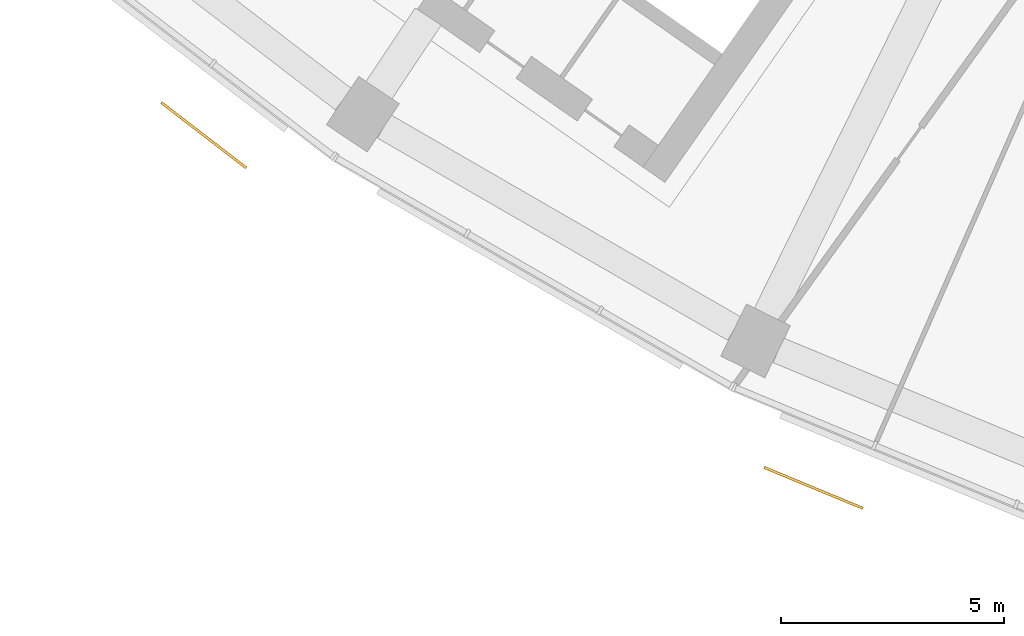
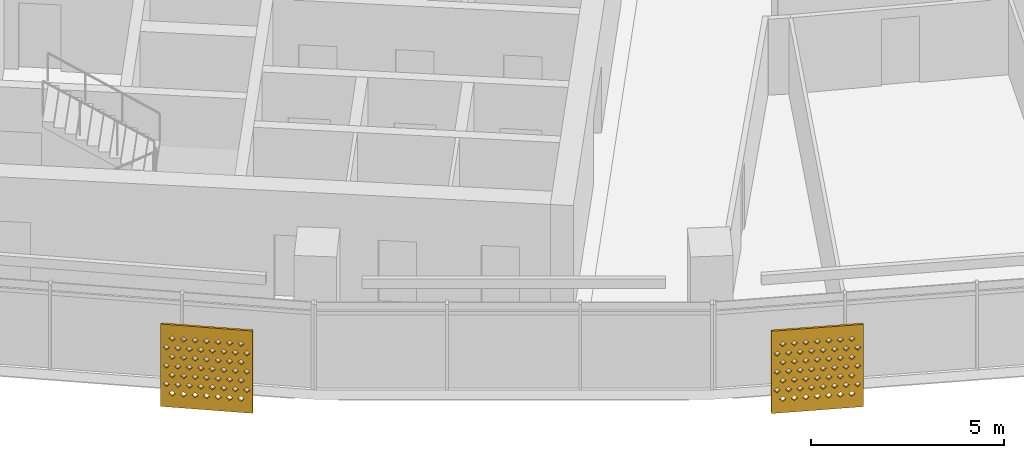
# One storey, part 21 of 26: 2 shading devices.
"""IFC4 building model written with IfcOpenShell, lengths in metres."""

from ifc_helpers import new_model, si_unit, direction, frame, origin, place, context, subcontext, project, spatial, polyline, outline, extrude, material, material_profile, profile_set, type_object, element, save


model = new_model("IFC4")

# Units and contexts
model_context = context("Model", 3, precision=1e-05, world=origin(), true_north=direction((0.0, 1.0)))
body_context = subcontext(model_context, "Body", "Model", "MODEL_VIEW")
ifc_project = project(units=[si_unit("LENGTHUNIT", "METRE"), si_unit("AREAUNIT", "SQUARE_METRE"), si_unit("VOLUMEUNIT", "CUBIC_METRE"), si_unit("PLANEANGLEUNIT", "RADIAN"), si_unit("MASSUNIT", "GRAM", prefix="KILO")], contexts=[model_context])

# Site, building, storey
site_placement = place(None, origin())
site = spatial("IfcSite", under=ifc_project, at=site_placement, CompositionType="ELEMENT")
building_placement = place(site_placement, origin())
building = spatial("IfcBuilding", under=site, at=building_placement, Name="Qamariyya Broadcast Tower", CompositionType="ELEMENT")
storey_placement = place(building_placement, frame((0.0, 0.0, 160.699951171875)))
storey = spatial("IfcBuildingStorey", under=building, at=storey_placement, Name="L37", CompositionType="ELEMENT", Elevation=160.699951171875)

# Shading devices
ifc_material = material(Name="Perforated glazed terracotta", Category="masonry")
ifc_material_profile = material_profile(ifc_material, outline(polyline([(-1.199951171875, -1.300048828125), (1.199951171875, -1.300048828125), (1.199951171875, 1.300048828125), (-1.199951171875, 1.300048828125), (-1.199951171875, -1.300048828125)]), holes=[polyline([(-0.81494140625, -0.86669921875), (-0.89990234375, -0.78173828125), (-0.985107421875, -0.86669921875), (-0.89990234375, -0.95166015625), (-0.81494140625, -0.86669921875)]), polyline([(-0.514892578125, -0.86669921875), (-0.60009765625, -0.78173828125), (-0.68505859375, -0.86669921875), (-0.60009765625, -0.95166015625), (-0.514892578125, -0.86669921875)]), polyline([(-0.215087890625, -0.86669921875), (-0.300048828125, -0.78173828125), (-0.385009765625, -0.86669921875), (-0.300048828125, -0.95166015625), (-0.215087890625, -0.86669921875)]), polyline([(0.0849609375, -0.86669921875), (0.0, -0.78173828125), (-0.0849609375, -0.86669921875), (0.0, -0.95166015625), (0.0849609375, -0.86669921875)]), polyline([(0.385009765625, -0.86669921875), (0.300048828125, -0.78173828125), (0.215087890625, -0.86669921875), (0.300048828125, -0.95166015625), (0.385009765625, -0.86669921875)]), polyline([(0.68505859375, -0.86669921875), (0.60009765625, -0.78173828125), (0.514892578125, -0.86669921875), (0.60009765625, -0.95166015625), (0.68505859375, -0.86669921875)]), polyline([(0.985107421875, -0.86669921875), (0.89990234375, -0.78173828125), (0.81494140625, -0.86669921875), (0.89990234375, -0.95166015625), (0.985107421875, -0.86669921875)]), polyline([(-0.965087890625, -0.577880859375), (-1.050048828125, -0.49267578125), (-1.135009765625, -0.577880859375), (-1.050048828125, -0.662841796875), (-0.965087890625, -0.577880859375)]), polyline([(-0.6650390625, -0.577880859375), (-0.75, -0.49267578125), (-0.8349609375, -0.577880859375), (-0.75, -0.662841796875), (-0.6650390625, -0.577880859375)]), polyline([(-0.364990234375, -0.577880859375), (-0.449951171875, -0.49267578125), (-0.534912109375, -0.577880859375), (-0.449951171875, -0.662841796875), (-0.364990234375, -0.577880859375)]), polyline([(-0.06494140625, -0.577880859375), (-0.14990234375, -0.49267578125), (-0.235107421875, -0.577880859375), (-0.14990234375, -0.662841796875), (-0.06494140625, -0.577880859375)]), polyline([(0.235107421875, -0.577880859375), (0.14990234375, -0.49267578125), (0.06494140625, -0.577880859375), (0.14990234375, -0.662841796875), (0.235107421875, -0.577880859375)]), polyline([(0.534912109375, -0.577880859375), (0.449951171875, -0.49267578125), (0.364990234375, -0.577880859375), (0.449951171875, -0.662841796875), (0.534912109375, -0.577880859375)]), polyline([(0.8349609375, -0.577880859375), (0.75, -0.49267578125), (0.6650390625, -0.577880859375), (0.75, -0.662841796875), (0.8349609375, -0.577880859375)]), polyline([(1.135009765625, -0.577880859375), (1.050048828125, -0.49267578125), (0.965087890625, -0.577880859375), (1.050048828125, -0.662841796875), (1.135009765625, -0.577880859375)]), polyline([(-0.81494140625, -0.288818359375), (-0.89990234375, -0.203857421875), (-0.985107421875, -0.288818359375), (-0.89990234375, -0.373779296875), (-0.81494140625, -0.288818359375)]), polyline([(-0.514892578125, -0.288818359375), (-0.60009765625, -0.203857421875), (-0.68505859375, -0.288818359375), (-0.60009765625, -0.373779296875), (-0.514892578125, -0.288818359375)]), polyline([(-0.215087890625, -0.288818359375), (-0.300048828125, -0.203857421875), (-0.385009765625, -0.288818359375), (-0.300048828125, -0.373779296875), (-0.215087890625, -0.288818359375)]), polyline([(0.0849609375, -0.288818359375), (0.0, -0.203857421875), (-0.0849609375, -0.288818359375), (0.0, -0.373779296875), (0.0849609375, -0.288818359375)]), polyline([(0.385009765625, -0.288818359375), (0.300048828125, -0.203857421875), (0.215087890625, -0.288818359375), (0.300048828125, -0.373779296875), (0.385009765625, -0.288818359375)]), polyline([(0.68505859375, -0.288818359375), (0.60009765625, -0.203857421875), (0.514892578125, -0.288818359375), (0.60009765625, -0.373779296875), (0.68505859375, -0.288818359375)]), polyline([(0.985107421875, -0.288818359375), (0.89990234375, -0.203857421875), (0.81494140625, -0.288818359375), (0.89990234375, -0.373779296875), (0.985107421875, -0.288818359375)]), polyline([(-0.965087890625, 0.0), (-1.050048828125, 0.0849609375), (-1.135009765625, 0.0), (-1.050048828125, -0.0849609375), (-0.965087890625, 0.0)]), polyline([(-0.6650390625, 0.0), (-0.75, 0.0849609375), (-0.8349609375, 0.0), (-0.75, -0.0849609375), (-0.6650390625, 0.0)]), polyline([(-0.364990234375, 0.0), (-0.449951171875, 0.0849609375), (-0.534912109375, 0.0), (-0.449951171875, -0.0849609375), (-0.364990234375, 0.0)]), polyline([(-0.06494140625, 0.0), (-0.14990234375, 0.0849609375), (-0.235107421875, 0.0), (-0.14990234375, -0.0849609375), (-0.06494140625, 0.0)]), polyline([(0.235107421875, 0.0), (0.14990234375, 0.0849609375), (0.06494140625, 0.0), (0.14990234375, -0.0849609375), (0.235107421875, 0.0)]), polyline([(0.534912109375, 0.0), (0.449951171875, 0.0849609375), (0.364990234375, 0.0), (0.449951171875, -0.0849609375), (0.534912109375, 0.0)]), polyline([(0.8349609375, 0.0), (0.75, 0.0849609375), (0.6650390625, 0.0), (0.75, -0.0849609375), (0.8349609375, 0.0)]), polyline([(1.135009765625, 0.0), (1.050048828125, 0.0849609375), (0.965087890625, 0.0), (1.050048828125, -0.0849609375), (1.135009765625, 0.0)]), polyline([(-0.81494140625, 0.288818359375), (-0.89990234375, 0.373779296875), (-0.985107421875, 0.288818359375), (-0.89990234375, 0.203857421875), (-0.81494140625, 0.288818359375)]), polyline([(-0.514892578125, 0.288818359375), (-0.60009765625, 0.373779296875), (-0.68505859375, 0.288818359375), (-0.60009765625, 0.203857421875), (-0.514892578125, 0.288818359375)]), polyline([(-0.215087890625, 0.288818359375), (-0.300048828125, 0.373779296875), (-0.385009765625, 0.288818359375), (-0.300048828125, 0.203857421875), (-0.215087890625, 0.288818359375)]), polyline([(0.0849609375, 0.288818359375), (0.0, 0.373779296875), (-0.0849609375, 0.288818359375), (0.0, 0.203857421875), (0.0849609375, 0.288818359375)]), polyline([(0.385009765625, 0.288818359375), (0.300048828125, 0.373779296875), (0.215087890625, 0.288818359375), (0.300048828125, 0.203857421875), (0.385009765625, 0.288818359375)]), polyline([(0.68505859375, 0.288818359375), (0.60009765625, 0.373779296875), (0.514892578125, 0.288818359375), (0.60009765625, 0.203857421875), (0.68505859375, 0.288818359375)]), polyline([(0.985107421875, 0.288818359375), (0.89990234375, 0.373779296875), (0.81494140625, 0.288818359375), (0.89990234375, 0.203857421875), (0.985107421875, 0.288818359375)]), polyline([(-0.965087890625, 0.577880859375), (-1.050048828125, 0.662841796875), (-1.135009765625, 0.577880859375), (-1.050048828125, 0.49267578125), (-0.965087890625, 0.577880859375)]), polyline([(-0.6650390625, 0.577880859375), (-0.75, 0.662841796875), (-0.8349609375, 0.577880859375), (-0.75, 0.49267578125), (-0.6650390625, 0.577880859375)]), polyline([(-0.364990234375, 0.577880859375), (-0.449951171875, 0.662841796875), (-0.534912109375, 0.577880859375), (-0.449951171875, 0.49267578125), (-0.364990234375, 0.577880859375)]), polyline([(-0.06494140625, 0.577880859375), (-0.14990234375, 0.662841796875), (-0.235107421875, 0.577880859375), (-0.14990234375, 0.49267578125), (-0.06494140625, 0.577880859375)]), polyline([(0.235107421875, 0.577880859375), (0.14990234375, 0.662841796875), (0.06494140625, 0.577880859375), (0.14990234375, 0.49267578125), (0.235107421875, 0.577880859375)]), polyline([(0.534912109375, 0.577880859375), (0.449951171875, 0.662841796875), (0.364990234375, 0.577880859375), (0.449951171875, 0.49267578125), (0.534912109375, 0.577880859375)]), polyline([(0.8349609375, 0.577880859375), (0.75, 0.662841796875), (0.6650390625, 0.577880859375), (0.75, 0.49267578125), (0.8349609375, 0.577880859375)]), polyline([(1.135009765625, 0.577880859375), (1.050048828125, 0.662841796875), (0.965087890625, 0.577880859375), (1.050048828125, 0.49267578125), (1.135009765625, 0.577880859375)]), polyline([(-0.81494140625, 0.86669921875), (-0.89990234375, 0.95166015625), (-0.985107421875, 0.86669921875), (-0.89990234375, 0.78173828125), (-0.81494140625, 0.86669921875)]), polyline([(-0.514892578125, 0.86669921875), (-0.60009765625, 0.95166015625), (-0.68505859375, 0.86669921875), (-0.60009765625, 0.78173828125), (-0.514892578125, 0.86669921875)]), polyline([(-0.215087890625, 0.86669921875), (-0.300048828125, 0.95166015625), (-0.385009765625, 0.86669921875), (-0.300048828125, 0.78173828125), (-0.215087890625, 0.86669921875)]), polyline([(0.0849609375, 0.86669921875), (0.0, 0.95166015625), (-0.0849609375, 0.86669921875), (0.0, 0.78173828125), (0.0849609375, 0.86669921875)]), polyline([(0.385009765625, 0.86669921875), (0.300048828125, 0.95166015625), (0.215087890625, 0.86669921875), (0.300048828125, 0.78173828125), (0.385009765625, 0.86669921875)]), polyline([(0.68505859375, 0.86669921875), (0.60009765625, 0.95166015625), (0.514892578125, 0.86669921875), (0.60009765625, 0.78173828125), (0.68505859375, 0.86669921875)]), polyline([(0.985107421875, 0.86669921875), (0.89990234375, 0.95166015625), (0.81494140625, 0.86669921875), (0.89990234375, 0.78173828125), (0.985107421875, 0.86669921875)])]))
ifc_profile_set = profile_set([ifc_material_profile], Name="Perforated glazed terracotta")
shading_device_type = type_object("IfcShadingDeviceType", Name="Perforated terracotta screen 2400 x 2600", PredefinedType="USERDEFINED", material=ifc_profile_set)
shading_device_1_placement = place(storey_placement, frame((-46.745849609375, -65.095458984375, 1.35009765625), z_axis=(-0.60971076085, -0.792623989105, 0.0), x_axis=(0.792623989105, -0.60971076085, 0.0)))
element("IfcShadingDevice", 1, at=shading_device_1_placement, inside=storey, type_object=shading_device_type, Name="e-scr-L37-02-2", ObjectType="SCREEN", PredefinedType="USERDEFINED", context=body_context, shape_type="SweptSolid", body=[
    extrude(outline(polyline([(-1.199951171875, -1.300048828125), (1.199951171875, -1.300048828125), (1.199951171875, 1.300048828125), (-1.199951171875, 1.300048828125), (-1.199951171875, -1.300048828125)]), holes=[polyline([(-0.81494140625, -0.86669921875), (-0.89990234375, -0.78173828125), (-0.985107421875, -0.86669921875), (-0.89990234375, -0.95166015625), (-0.81494140625, -0.86669921875)]), polyline([(-0.514892578125, -0.86669921875), (-0.60009765625, -0.78173828125), (-0.68505859375, -0.86669921875), (-0.60009765625, -0.95166015625), (-0.514892578125, -0.86669921875)]), polyline([(-0.215087890625, -0.86669921875), (-0.300048828125, -0.78173828125), (-0.385009765625, -0.86669921875), (-0.300048828125, -0.95166015625), (-0.215087890625, -0.86669921875)]), polyline([(0.0849609375, -0.86669921875), (0.0, -0.78173828125), (-0.0849609375, -0.86669921875), (0.0, -0.95166015625), (0.0849609375, -0.86669921875)]), polyline([(0.385009765625, -0.86669921875), (0.300048828125, -0.78173828125), (0.215087890625, -0.86669921875), (0.300048828125, -0.95166015625), (0.385009765625, -0.86669921875)]), polyline([(0.68505859375, -0.86669921875), (0.60009765625, -0.78173828125), (0.514892578125, -0.86669921875), (0.60009765625, -0.95166015625), (0.68505859375, -0.86669921875)]), polyline([(0.985107421875, -0.86669921875), (0.89990234375, -0.78173828125), (0.81494140625, -0.86669921875), (0.89990234375, -0.95166015625), (0.985107421875, -0.86669921875)]), polyline([(-0.965087890625, -0.577880859375), (-1.050048828125, -0.49267578125), (-1.135009765625, -0.577880859375), (-1.050048828125, -0.662841796875), (-0.965087890625, -0.577880859375)]), polyline([(-0.6650390625, -0.577880859375), (-0.75, -0.49267578125), (-0.8349609375, -0.577880859375), (-0.75, -0.662841796875), (-0.6650390625, -0.577880859375)]), polyline([(-0.364990234375, -0.577880859375), (-0.449951171875, -0.49267578125), (-0.534912109375, -0.577880859375), (-0.449951171875, -0.662841796875), (-0.364990234375, -0.577880859375)]), polyline([(-0.06494140625, -0.577880859375), (-0.14990234375, -0.49267578125), (-0.235107421875, -0.577880859375), (-0.14990234375, -0.662841796875), (-0.06494140625, -0.577880859375)]), polyline([(0.235107421875, -0.577880859375), (0.14990234375, -0.49267578125), (0.06494140625, -0.577880859375), (0.14990234375, -0.662841796875), (0.235107421875, -0.577880859375)]), polyline([(0.534912109375, -0.577880859375), (0.449951171875, -0.49267578125), (0.364990234375, -0.577880859375), (0.449951171875, -0.662841796875), (0.534912109375, -0.577880859375)]), polyline([(0.8349609375, -0.577880859375), (0.75, -0.49267578125), (0.6650390625, -0.577880859375), (0.75, -0.662841796875), (0.8349609375, -0.577880859375)]), polyline([(1.135009765625, -0.577880859375), (1.050048828125, -0.49267578125), (0.965087890625, -0.577880859375), (1.050048828125, -0.662841796875), (1.135009765625, -0.577880859375)]), polyline([(-0.81494140625, -0.288818359375), (-0.89990234375, -0.203857421875), (-0.985107421875, -0.288818359375), (-0.89990234375, -0.373779296875), (-0.81494140625, -0.288818359375)]), polyline([(-0.514892578125, -0.288818359375), (-0.60009765625, -0.203857421875), (-0.68505859375, -0.288818359375), (-0.60009765625, -0.373779296875), (-0.514892578125, -0.288818359375)]), polyline([(-0.215087890625, -0.288818359375), (-0.300048828125, -0.203857421875), (-0.385009765625, -0.288818359375), (-0.300048828125, -0.373779296875), (-0.215087890625, -0.288818359375)]), polyline([(0.0849609375, -0.288818359375), (0.0, -0.203857421875), (-0.0849609375, -0.288818359375), (0.0, -0.373779296875), (0.0849609375, -0.288818359375)]), polyline([(0.385009765625, -0.288818359375), (0.300048828125, -0.203857421875), (0.215087890625, -0.288818359375), (0.300048828125, -0.373779296875), (0.385009765625, -0.288818359375)]), polyline([(0.68505859375, -0.288818359375), (0.60009765625, -0.203857421875), (0.514892578125, -0.288818359375), (0.60009765625, -0.373779296875), (0.68505859375, -0.288818359375)]), polyline([(0.985107421875, -0.288818359375), (0.89990234375, -0.203857421875), (0.81494140625, -0.288818359375), (0.89990234375, -0.373779296875), (0.985107421875, -0.288818359375)]), polyline([(-0.965087890625, 0.0), (-1.050048828125, 0.0849609375), (-1.135009765625, 0.0), (-1.050048828125, -0.0849609375), (-0.965087890625, 0.0)]), polyline([(-0.6650390625, 0.0), (-0.75, 0.0849609375), (-0.8349609375, 0.0), (-0.75, -0.0849609375), (-0.6650390625, 0.0)]), polyline([(-0.364990234375, 0.0), (-0.449951171875, 0.0849609375), (-0.534912109375, 0.0), (-0.449951171875, -0.0849609375), (-0.364990234375, 0.0)]), polyline([(-0.06494140625, 0.0), (-0.14990234375, 0.0849609375), (-0.235107421875, 0.0), (-0.14990234375, -0.0849609375), (-0.06494140625, 0.0)]), polyline([(0.235107421875, 0.0), (0.14990234375, 0.0849609375), (0.06494140625, 0.0), (0.14990234375, -0.0849609375), (0.235107421875, 0.0)]), polyline([(0.534912109375, 0.0), (0.449951171875, 0.0849609375), (0.364990234375, 0.0), (0.449951171875, -0.0849609375), (0.534912109375, 0.0)]), polyline([(0.8349609375, 0.0), (0.75, 0.0849609375), (0.6650390625, 0.0), (0.75, -0.0849609375), (0.8349609375, 0.0)]), polyline([(1.135009765625, 0.0), (1.050048828125, 0.0849609375), (0.965087890625, 0.0), (1.050048828125, -0.0849609375), (1.135009765625, 0.0)]), polyline([(-0.81494140625, 0.288818359375), (-0.89990234375, 0.373779296875), (-0.985107421875, 0.288818359375), (-0.89990234375, 0.203857421875), (-0.81494140625, 0.288818359375)]), polyline([(-0.514892578125, 0.288818359375), (-0.60009765625, 0.373779296875), (-0.68505859375, 0.288818359375), (-0.60009765625, 0.203857421875), (-0.514892578125, 0.288818359375)]), polyline([(-0.215087890625, 0.288818359375), (-0.300048828125, 0.373779296875), (-0.385009765625, 0.288818359375), (-0.300048828125, 0.203857421875), (-0.215087890625, 0.288818359375)]), polyline([(0.0849609375, 0.288818359375), (0.0, 0.373779296875), (-0.0849609375, 0.288818359375), (0.0, 0.203857421875), (0.0849609375, 0.288818359375)]), polyline([(0.385009765625, 0.288818359375), (0.300048828125, 0.373779296875), (0.215087890625, 0.288818359375), (0.300048828125, 0.203857421875), (0.385009765625, 0.288818359375)]), polyline([(0.68505859375, 0.288818359375), (0.60009765625, 0.373779296875), (0.514892578125, 0.288818359375), (0.60009765625, 0.203857421875), (0.68505859375, 0.288818359375)]), polyline([(0.985107421875, 0.288818359375), (0.89990234375, 0.373779296875), (0.81494140625, 0.288818359375), (0.89990234375, 0.203857421875), (0.985107421875, 0.288818359375)]), polyline([(-0.965087890625, 0.577880859375), (-1.050048828125, 0.662841796875), (-1.135009765625, 0.577880859375), (-1.050048828125, 0.49267578125), (-0.965087890625, 0.577880859375)]), polyline([(-0.6650390625, 0.577880859375), (-0.75, 0.662841796875), (-0.8349609375, 0.577880859375), (-0.75, 0.49267578125), (-0.6650390625, 0.577880859375)]), polyline([(-0.364990234375, 0.577880859375), (-0.449951171875, 0.662841796875), (-0.534912109375, 0.577880859375), (-0.449951171875, 0.49267578125), (-0.364990234375, 0.577880859375)]), polyline([(-0.06494140625, 0.577880859375), (-0.14990234375, 0.662841796875), (-0.235107421875, 0.577880859375), (-0.14990234375, 0.49267578125), (-0.06494140625, 0.577880859375)]), polyline([(0.235107421875, 0.577880859375), (0.14990234375, 0.662841796875), (0.06494140625, 0.577880859375), (0.14990234375, 0.49267578125), (0.235107421875, 0.577880859375)]), polyline([(0.534912109375, 0.577880859375), (0.449951171875, 0.662841796875), (0.364990234375, 0.577880859375), (0.449951171875, 0.49267578125), (0.534912109375, 0.577880859375)]), polyline([(0.8349609375, 0.577880859375), (0.75, 0.662841796875), (0.6650390625, 0.577880859375), (0.75, 0.49267578125), (0.8349609375, 0.577880859375)]), polyline([(1.135009765625, 0.577880859375), (1.050048828125, 0.662841796875), (0.965087890625, 0.577880859375), (1.050048828125, 0.49267578125), (1.135009765625, 0.577880859375)]), polyline([(-0.81494140625, 0.86669921875), (-0.89990234375, 0.95166015625), (-0.985107421875, 0.86669921875), (-0.89990234375, 0.78173828125), (-0.81494140625, 0.86669921875)]), polyline([(-0.514892578125, 0.86669921875), (-0.60009765625, 0.95166015625), (-0.68505859375, 0.86669921875), (-0.60009765625, 0.78173828125), (-0.514892578125, 0.86669921875)]), polyline([(-0.215087890625, 0.86669921875), (-0.300048828125, 0.95166015625), (-0.385009765625, 0.86669921875), (-0.300048828125, 0.78173828125), (-0.215087890625, 0.86669921875)]), polyline([(0.0849609375, 0.86669921875), (0.0, 0.95166015625), (-0.0849609375, 0.86669921875), (0.0, 0.78173828125), (0.0849609375, 0.86669921875)]), polyline([(0.385009765625, 0.86669921875), (0.300048828125, 0.95166015625), (0.215087890625, 0.86669921875), (0.300048828125, 0.78173828125), (0.385009765625, 0.86669921875)]), polyline([(0.68505859375, 0.86669921875), (0.60009765625, 0.95166015625), (0.514892578125, 0.86669921875), (0.60009765625, 0.78173828125), (0.68505859375, 0.86669921875)]), polyline([(0.985107421875, 0.86669921875), (0.89990234375, 0.95166015625), (0.81494140625, 0.86669921875), (0.89990234375, 0.78173828125), (0.985107421875, 0.86669921875)])]), origin(), (0.0, 0.0, 1.0), 0.06005859375),
])
shading_device_2_placement = place(storey_placement, frame((-33.07861328125, -72.9990234375, 1.35009765625), z_axis=(-0.382591441855, -0.923917630863, 0.0), x_axis=(0.923917630863, -0.382591441855, 0.0)))
element("IfcShadingDevice", 2, at=shading_device_2_placement, inside=storey, type_object=shading_device_type, Name="e-scr-L37-04-0", ObjectType="SCREEN", PredefinedType="USERDEFINED", context=body_context, shape_type="SweptSolid", body=[
    extrude(outline(polyline([(-1.199951171875, -1.300048828125), (1.199951171875, -1.300048828125), (1.199951171875, 1.300048828125), (-1.199951171875, 1.300048828125), (-1.199951171875, -1.300048828125)]), holes=[polyline([(-0.81494140625, -0.86669921875), (-0.89990234375, -0.78173828125), (-0.985107421875, -0.86669921875), (-0.89990234375, -0.95166015625), (-0.81494140625, -0.86669921875)]), polyline([(-0.514892578125, -0.86669921875), (-0.60009765625, -0.78173828125), (-0.68505859375, -0.86669921875), (-0.60009765625, -0.95166015625), (-0.514892578125, -0.86669921875)]), polyline([(-0.215087890625, -0.86669921875), (-0.300048828125, -0.78173828125), (-0.385009765625, -0.86669921875), (-0.300048828125, -0.95166015625), (-0.215087890625, -0.86669921875)]), polyline([(0.0849609375, -0.86669921875), (0.0, -0.78173828125), (-0.0849609375, -0.86669921875), (0.0, -0.95166015625), (0.0849609375, -0.86669921875)]), polyline([(0.385009765625, -0.86669921875), (0.300048828125, -0.78173828125), (0.215087890625, -0.86669921875), (0.300048828125, -0.95166015625), (0.385009765625, -0.86669921875)]), polyline([(0.68505859375, -0.86669921875), (0.60009765625, -0.78173828125), (0.514892578125, -0.86669921875), (0.60009765625, -0.95166015625), (0.68505859375, -0.86669921875)]), polyline([(0.985107421875, -0.86669921875), (0.89990234375, -0.78173828125), (0.81494140625, -0.86669921875), (0.89990234375, -0.95166015625), (0.985107421875, -0.86669921875)]), polyline([(-0.965087890625, -0.577880859375), (-1.050048828125, -0.49267578125), (-1.135009765625, -0.577880859375), (-1.050048828125, -0.662841796875), (-0.965087890625, -0.577880859375)]), polyline([(-0.6650390625, -0.577880859375), (-0.75, -0.49267578125), (-0.8349609375, -0.577880859375), (-0.75, -0.662841796875), (-0.6650390625, -0.577880859375)]), polyline([(-0.364990234375, -0.577880859375), (-0.449951171875, -0.49267578125), (-0.534912109375, -0.577880859375), (-0.449951171875, -0.662841796875), (-0.364990234375, -0.577880859375)]), polyline([(-0.06494140625, -0.577880859375), (-0.14990234375, -0.49267578125), (-0.235107421875, -0.577880859375), (-0.14990234375, -0.662841796875), (-0.06494140625, -0.577880859375)]), polyline([(0.235107421875, -0.577880859375), (0.14990234375, -0.49267578125), (0.06494140625, -0.577880859375), (0.14990234375, -0.662841796875), (0.235107421875, -0.577880859375)]), polyline([(0.534912109375, -0.577880859375), (0.449951171875, -0.49267578125), (0.364990234375, -0.577880859375), (0.449951171875, -0.662841796875), (0.534912109375, -0.577880859375)]), polyline([(0.8349609375, -0.577880859375), (0.75, -0.49267578125), (0.6650390625, -0.577880859375), (0.75, -0.662841796875), (0.8349609375, -0.577880859375)]), polyline([(1.135009765625, -0.577880859375), (1.050048828125, -0.49267578125), (0.965087890625, -0.577880859375), (1.050048828125, -0.662841796875), (1.135009765625, -0.577880859375)]), polyline([(-0.81494140625, -0.288818359375), (-0.89990234375, -0.203857421875), (-0.985107421875, -0.288818359375), (-0.89990234375, -0.373779296875), (-0.81494140625, -0.288818359375)]), polyline([(-0.514892578125, -0.288818359375), (-0.60009765625, -0.203857421875), (-0.68505859375, -0.288818359375), (-0.60009765625, -0.373779296875), (-0.514892578125, -0.288818359375)]), polyline([(-0.215087890625, -0.288818359375), (-0.300048828125, -0.203857421875), (-0.385009765625, -0.288818359375), (-0.300048828125, -0.373779296875), (-0.215087890625, -0.288818359375)]), polyline([(0.0849609375, -0.288818359375), (0.0, -0.203857421875), (-0.0849609375, -0.288818359375), (0.0, -0.373779296875), (0.0849609375, -0.288818359375)]), polyline([(0.385009765625, -0.288818359375), (0.300048828125, -0.203857421875), (0.215087890625, -0.288818359375), (0.300048828125, -0.373779296875), (0.385009765625, -0.288818359375)]), polyline([(0.68505859375, -0.288818359375), (0.60009765625, -0.203857421875), (0.514892578125, -0.288818359375), (0.60009765625, -0.373779296875), (0.68505859375, -0.288818359375)]), polyline([(0.985107421875, -0.288818359375), (0.89990234375, -0.203857421875), (0.81494140625, -0.288818359375), (0.89990234375, -0.373779296875), (0.985107421875, -0.288818359375)]), polyline([(-0.965087890625, 0.0), (-1.050048828125, 0.0849609375), (-1.135009765625, 0.0), (-1.050048828125, -0.0849609375), (-0.965087890625, 0.0)]), polyline([(-0.6650390625, 0.0), (-0.75, 0.0849609375), (-0.8349609375, 0.0), (-0.75, -0.0849609375), (-0.6650390625, 0.0)]), polyline([(-0.364990234375, 0.0), (-0.449951171875, 0.0849609375), (-0.534912109375, 0.0), (-0.449951171875, -0.0849609375), (-0.364990234375, 0.0)]), polyline([(-0.06494140625, 0.0), (-0.14990234375, 0.0849609375), (-0.235107421875, 0.0), (-0.14990234375, -0.0849609375), (-0.06494140625, 0.0)]), polyline([(0.235107421875, 0.0), (0.14990234375, 0.0849609375), (0.06494140625, 0.0), (0.14990234375, -0.0849609375), (0.235107421875, 0.0)]), polyline([(0.534912109375, 0.0), (0.449951171875, 0.0849609375), (0.364990234375, 0.0), (0.449951171875, -0.0849609375), (0.534912109375, 0.0)]), polyline([(0.8349609375, 0.0), (0.75, 0.0849609375), (0.6650390625, 0.0), (0.75, -0.0849609375), (0.8349609375, 0.0)]), polyline([(1.135009765625, 0.0), (1.050048828125, 0.0849609375), (0.965087890625, 0.0), (1.050048828125, -0.0849609375), (1.135009765625, 0.0)]), polyline([(-0.81494140625, 0.288818359375), (-0.89990234375, 0.373779296875), (-0.985107421875, 0.288818359375), (-0.89990234375, 0.203857421875), (-0.81494140625, 0.288818359375)]), polyline([(-0.514892578125, 0.288818359375), (-0.60009765625, 0.373779296875), (-0.68505859375, 0.288818359375), (-0.60009765625, 0.203857421875), (-0.514892578125, 0.288818359375)]), polyline([(-0.215087890625, 0.288818359375), (-0.300048828125, 0.373779296875), (-0.385009765625, 0.288818359375), (-0.300048828125, 0.203857421875), (-0.215087890625, 0.288818359375)]), polyline([(0.0849609375, 0.288818359375), (0.0, 0.373779296875), (-0.0849609375, 0.288818359375), (0.0, 0.203857421875), (0.0849609375, 0.288818359375)]), polyline([(0.385009765625, 0.288818359375), (0.300048828125, 0.373779296875), (0.215087890625, 0.288818359375), (0.300048828125, 0.203857421875), (0.385009765625, 0.288818359375)]), polyline([(0.68505859375, 0.288818359375), (0.60009765625, 0.373779296875), (0.514892578125, 0.288818359375), (0.60009765625, 0.203857421875), (0.68505859375, 0.288818359375)]), polyline([(0.985107421875, 0.288818359375), (0.89990234375, 0.373779296875), (0.81494140625, 0.288818359375), (0.89990234375, 0.203857421875), (0.985107421875, 0.288818359375)]), polyline([(-0.965087890625, 0.577880859375), (-1.050048828125, 0.662841796875), (-1.135009765625, 0.577880859375), (-1.050048828125, 0.49267578125), (-0.965087890625, 0.577880859375)]), polyline([(-0.6650390625, 0.577880859375), (-0.75, 0.662841796875), (-0.8349609375, 0.577880859375), (-0.75, 0.49267578125), (-0.6650390625, 0.577880859375)]), polyline([(-0.364990234375, 0.577880859375), (-0.449951171875, 0.662841796875), (-0.534912109375, 0.577880859375), (-0.449951171875, 0.49267578125), (-0.364990234375, 0.577880859375)]), polyline([(-0.06494140625, 0.577880859375), (-0.14990234375, 0.662841796875), (-0.235107421875, 0.577880859375), (-0.14990234375, 0.49267578125), (-0.06494140625, 0.577880859375)]), polyline([(0.235107421875, 0.577880859375), (0.14990234375, 0.662841796875), (0.06494140625, 0.577880859375), (0.14990234375, 0.49267578125), (0.235107421875, 0.577880859375)]), polyline([(0.534912109375, 0.577880859375), (0.449951171875, 0.662841796875), (0.364990234375, 0.577880859375), (0.449951171875, 0.49267578125), (0.534912109375, 0.577880859375)]), polyline([(0.8349609375, 0.577880859375), (0.75, 0.662841796875), (0.6650390625, 0.577880859375), (0.75, 0.49267578125), (0.8349609375, 0.577880859375)]), polyline([(1.135009765625, 0.577880859375), (1.050048828125, 0.662841796875), (0.965087890625, 0.577880859375), (1.050048828125, 0.49267578125), (1.135009765625, 0.577880859375)]), polyline([(-0.81494140625, 0.86669921875), (-0.89990234375, 0.95166015625), (-0.985107421875, 0.86669921875), (-0.89990234375, 0.78173828125), (-0.81494140625, 0.86669921875)]), polyline([(-0.514892578125, 0.86669921875), (-0.60009765625, 0.95166015625), (-0.68505859375, 0.86669921875), (-0.60009765625, 0.78173828125), (-0.514892578125, 0.86669921875)]), polyline([(-0.215087890625, 0.86669921875), (-0.300048828125, 0.95166015625), (-0.385009765625, 0.86669921875), (-0.300048828125, 0.78173828125), (-0.215087890625, 0.86669921875)]), polyline([(0.0849609375, 0.86669921875), (0.0, 0.95166015625), (-0.0849609375, 0.86669921875), (0.0, 0.78173828125), (0.0849609375, 0.86669921875)]), polyline([(0.385009765625, 0.86669921875), (0.300048828125, 0.95166015625), (0.215087890625, 0.86669921875), (0.300048828125, 0.78173828125), (0.385009765625, 0.86669921875)]), polyline([(0.68505859375, 0.86669921875), (0.60009765625, 0.95166015625), (0.514892578125, 0.86669921875), (0.60009765625, 0.78173828125), (0.68505859375, 0.86669921875)]), polyline([(0.985107421875, 0.86669921875), (0.89990234375, 0.95166015625), (0.81494140625, 0.86669921875), (0.89990234375, 0.78173828125), (0.985107421875, 0.86669921875)])]), origin(), (0.0, 0.0, 1.0), 0.06005859375),
])

save(model, "model.ifc")
